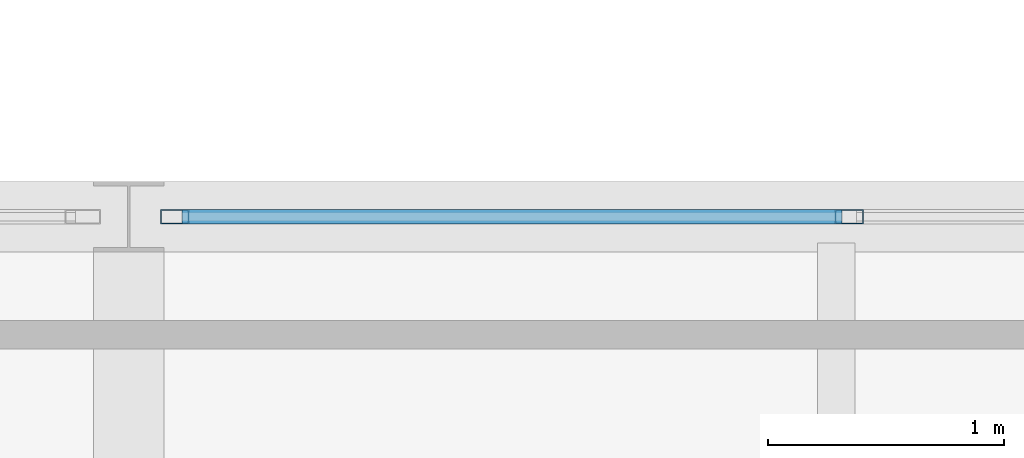
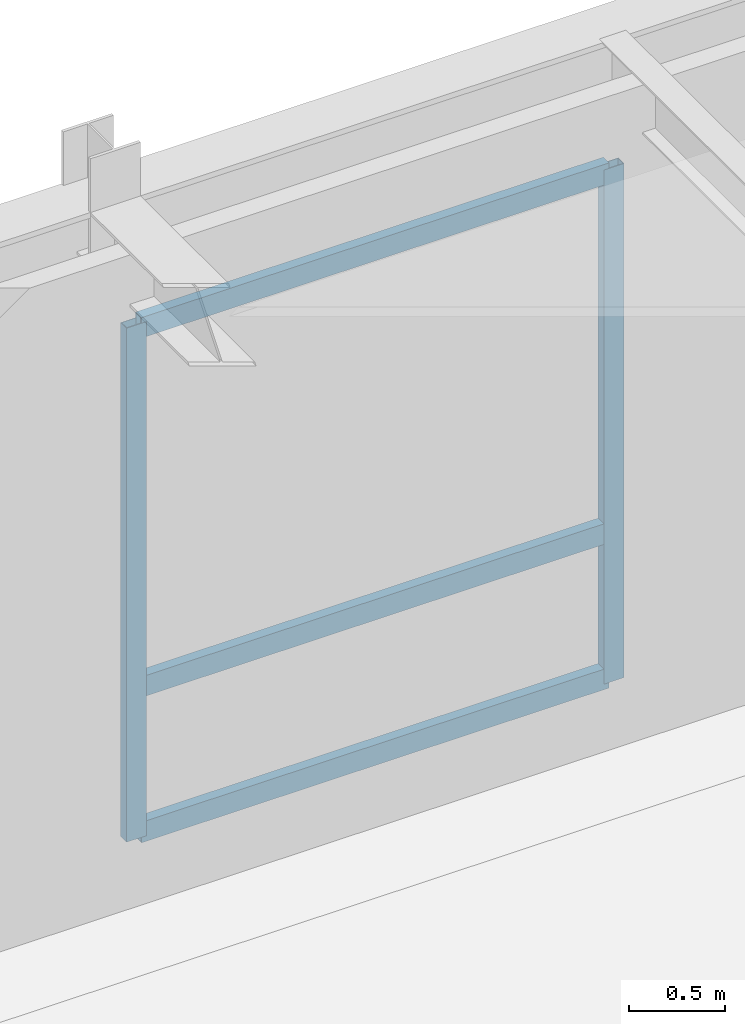
# One storey, part 28 of 127: 5 members, 1 element without a shape of its own.
"""IFC4 building model written with IfcOpenShell, lengths in metres."""

from ifc_helpers import new_model, si_unit, direction, frame, origin, origin_2d, place, context, subcontext, project, spatial, hollow_rectangle, extrude, material, layer, layer_set, material_profile, profile_set, type_object, element, aggregate, save


model = new_model("IFC4")

# Units and contexts
model_context = context("Model", 3, precision=1e-05, world=origin(), true_north=direction((0.0, 1.0)))
body_context = subcontext(model_context, "Body", "Model", "MODEL_VIEW")
ifc_project = project(units=[si_unit("LENGTHUNIT", "METRE"), si_unit("AREAUNIT", "SQUARE_METRE"), si_unit("VOLUMEUNIT", "CUBIC_METRE"), si_unit("PLANEANGLEUNIT", "RADIAN"), si_unit("MASSUNIT", "GRAM", prefix="KILO")], contexts=[model_context])

# Site, building, storey
site_placement = place(None, origin())
site = spatial("IfcSite", under=ifc_project, at=site_placement, CompositionType="ELEMENT")
building_placement = place(site_placement, origin())
building = spatial("IfcBuilding", under=site, at=building_placement, Name="Montelvaro Courts of Justice", CompositionType="ELEMENT")
storey_placement = place(building_placement, frame((0.0, 0.0, 5.39990234375)))
storey = spatial("IfcBuildingStorey", under=building, at=storey_placement, Name="L01", CompositionType="ELEMENT", Elevation=5.39990234375)

# Curtain wall, members
ifc_material = material(Name="Anodised aluminium EN AW-6063", Category="aluminium")
ifc_layer = layer(ifc_material, 0.159912109375)
ifc_layer_set = layer_set([ifc_layer], Name="Anodised aluminium EN AW-6063")
curtain_wall_type = type_object("IfcCurtainWallType", Name="CurtainWall_14_867x418", PredefinedType="USERDEFINED", material=ifc_layer_set)
curtain_wall_placement = place(storey_placement, origin())
curtain_wall = element("IfcCurtainWall", 1, at=curtain_wall_placement, inside=storey, type_object=curtain_wall_type, Name="Curtain Wall CW-14 (L01)", ObjectType="CURTAIN WALL", PredefinedType="USERDEFINED")
ifc_material_profile_1 = material_profile(ifc_material, hollow_rectangle(XDim=0.06005859375, YDim=0.1201171875, WallThickness=0.00341796875, at=origin_2d()), Name="ALU-M 60x120")
ifc_profile_set_1 = profile_set([ifc_material_profile_1], Name="Anodised aluminium EN AW-6063")
member_type_1 = type_object("IfcMemberType", Name="CurtainWall_Mullion_60x120", PredefinedType="MULLION", material=ifc_profile_set_1)
member_1_placement = place(storey_placement, frame((39.054931640625, 54.0, 0.0), z_axis=(0.0, 0.0, 1.0), x_axis=(0.0, -1.0, 0.0)))
member_1 = element("IfcMember", 2, at=member_1_placement, type_object=member_type_1, Name="CW-14 mullion 3", PredefinedType="MULLION", context=body_context, shape_type="SweptSolid", body=[
    extrude(hollow_rectangle(XDim=0.06005859375, YDim=0.1201171875, WallThickness=0.00341796875, at=origin_2d()), origin(), (0.0, 0.0, 1.0), 3.255126953125),
])
member_2_placement = place(storey_placement, frame((36.195068359375, 54.0, 0.0), z_axis=(0.0, 0.0, 1.0), x_axis=(0.0, -1.0, 0.0)))
member_2 = element("IfcMember", 3, at=member_2_placement, type_object=member_type_1, Name="CW-14 mullion 4", PredefinedType="MULLION", context=body_context, shape_type="SweptSolid", body=[
    extrude(hollow_rectangle(XDim=0.06005859375, YDim=0.1201171875, WallThickness=0.00341796875, at=origin_2d()), origin(), (0.0, 0.0, 1.0), 3.255126953125),
])
ifc_material_profile_2 = material_profile(ifc_material, hollow_rectangle(XDim=0.06005859375, YDim=0.1298828125, WallThickness=0.00390625, at=origin_2d()), Name="ALU-T 60x130")
ifc_profile_set_2 = profile_set([ifc_material_profile_2], Name="Anodised aluminium EN AW-6063")
member_type_2 = type_object("IfcMemberType", Name="CurtainWall_Transom_60x130", PredefinedType="USERDEFINED", material=ifc_profile_set_2)
member_3_placement = place(storey_placement, frame((39.02490234375, 54.0, 0.030029296875), z_axis=(-1.0, 0.0, 0.0), x_axis=(0.0, -1.0, 0.0)))
member_3 = element("IfcMember", 4, at=member_3_placement, type_object=member_type_2, Name="CW-14 transom 3.1", ObjectType="TRANSOM", PredefinedType="USERDEFINED", context=body_context, shape_type="SweptSolid", body=[
    extrude(hollow_rectangle(XDim=0.06005859375, YDim=0.1298828125, WallThickness=0.00390625, at=origin_2d()), origin(), (0.0, 0.0, 1.0), 2.7998046875),
])
member_4_placement = place(storey_placement, frame((39.02490234375, 54.0, 0.9501953125), z_axis=(-1.0, 0.0, 0.0), x_axis=(0.0, -1.0, 0.0)))
member_4 = element("IfcMember", 5, at=member_4_placement, type_object=member_type_2, Name="CW-14 transom 3.2", ObjectType="TRANSOM", PredefinedType="USERDEFINED", context=body_context, shape_type="SweptSolid", body=[
    extrude(hollow_rectangle(XDim=0.06005859375, YDim=0.1298828125, WallThickness=0.00390625, at=origin_2d()), origin(), (0.0, 0.0, 1.0), 2.7998046875),
])
member_5_placement = place(storey_placement, frame((39.02490234375, 54.0, 3.22509765625), z_axis=(-1.0, 0.0, 0.0), x_axis=(0.0, -1.0, 0.0)))
member_5 = element("IfcMember", 6, at=member_5_placement, type_object=member_type_2, Name="CW-14 transom 3.3", ObjectType="TRANSOM", PredefinedType="USERDEFINED", context=body_context, shape_type="SweptSolid", body=[
    extrude(hollow_rectangle(XDim=0.06005859375, YDim=0.1298828125, WallThickness=0.00390625, at=origin_2d()), origin(), (0.0, 0.0, 1.0), 2.7998046875),
])
aggregate(curtain_wall, [member_1, member_2, member_3, member_4, member_5])

save(model, "model.ifc")
